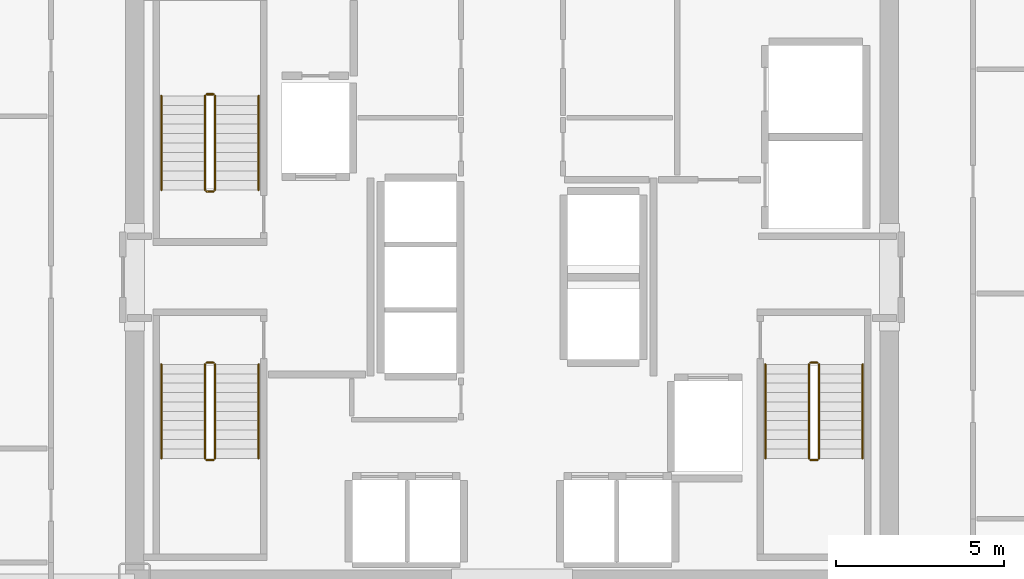
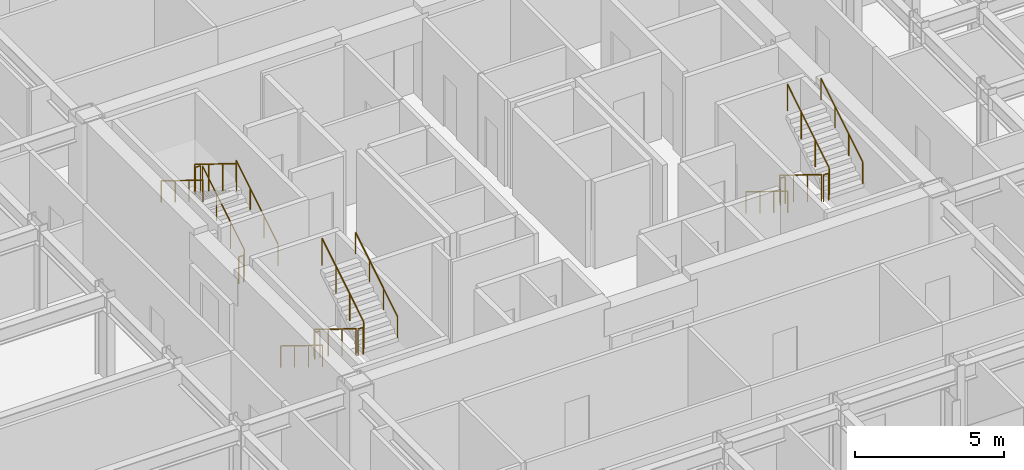
# One storey, part 23 of 23: 18 railings.
"""IFC4 building model written with IfcOpenShell, lengths in metres."""

from ifc_helpers import new_model, si_unit, direction, frame, origin, origin_2d, place, context, subcontext, project, spatial, circle, extrude, material, type_object, element, save


model = new_model("IFC4")

# Units and contexts
model_context = context("Model", 3, precision=1e-05, world=origin(), true_north=direction((0.0, 1.0)))
body_context = subcontext(model_context, "Body", "Model", "MODEL_VIEW")
ifc_project = project(units=[si_unit("LENGTHUNIT", "METRE"), si_unit("AREAUNIT", "SQUARE_METRE"), si_unit("VOLUMEUNIT", "CUBIC_METRE"), si_unit("PLANEANGLEUNIT", "RADIAN"), si_unit("MASSUNIT", "GRAM", prefix="KILO")], contexts=[model_context])

# Site, building, storey
site_placement = place(None, origin())
site = spatial("IfcSite", under=ifc_project, at=site_placement, CompositionType="ELEMENT")
building_placement = place(site_placement, origin())
building = spatial("IfcBuilding", under=site, at=building_placement, Name="Nefas-Gora Pilgrimage Tower", CompositionType="ELEMENT")
storey_placement = place(building_placement, frame((0.0, 0.0, 167.800048828125)))
storey = spatial("IfcBuildingStorey", under=building, at=storey_placement, Name="L41", CompositionType="ELEMENT", Elevation=167.800048828125)

# Railings
ifc_material_1 = material(Name="Painted galvanised steel", Category="steel")
railing_type_1 = type_object("IfcRailingType", Name="RLG-STR-GUARD-1100", PredefinedType="GUARDRAIL", material=ifc_material_1)
railing_1_placement = place(storey_placement, frame((-8.85009765625, 2.60009765625, 0.172607421875)))
element("IfcRailing", 1, at=railing_1_placement, inside=storey, type_object=railing_type_1, Name="L41 ST-01 stair guard 1", PredefinedType="GUARDRAIL", context=body_context, shape_type="SweptSolid", body=[
    extrude(circle(Radius=0.02392578125, at=origin_2d()), frame((0.0, 0.0, 1.09619140625), z_axis=(0.0, 0.851069175582, 0.525053576669), x_axis=(-1.0, 0.0, 0.0)), (0.0, 0.0, 1.0), 3.289794921875),
    extrude(circle(Radius=0.02099609375, at=origin_2d()), origin(), (0.0, 0.0, 1.0), 1.072021484375),
    extrude(circle(Radius=0.02099609375, at=origin_2d()), frame((0.0, 0.933349609375, 0.57568359375)), (0.0, 0.0, 1.0), 1.072021484375),
    extrude(circle(Radius=0.02099609375, at=origin_2d()), frame((0.0, 1.866455078125, 1.151611328125)), (0.0, 0.0, 1.0), 1.072021484375),
    extrude(circle(Radius=0.02099609375, at=origin_2d()), frame((0.0, 2.7998046875, 1.727294921875)), (0.0, 0.0, 1.0), 1.072021484375),
])
railing_2_placement = place(storey_placement, frame((-8.89990234375, 5.449951171875, 1.89990234375)))
element("IfcRailing", 2, at=railing_2_placement, inside=storey, type_object=railing_type_1, Name="L41 ST-01 stair guard 2", PredefinedType="GUARDRAIL", context=body_context, shape_type="SweptSolid", body=[
    extrude(circle(Radius=0.02392578125, at=origin_2d()), frame((0.0, 0.0, 1.09619140625), z_axis=(-1.0, 0.0, 0.0), x_axis=(0.0, -1.0, 0.0)), (0.0, 0.0, 1.0), 0.2001953125),
    extrude(circle(Radius=0.02099609375, at=origin_2d()), origin(), (0.0, 0.0, 1.0), 1.072021484375),
    extrude(circle(Radius=0.02099609375, at=origin_2d()), frame((-0.2001953125, 0.0, 0.0)), (0.0, 0.0, 1.0), 1.072021484375),
])
railing_3_placement = place(storey_placement, frame((-9.14990234375, 5.39990234375, 2.07275390625)))
element("IfcRailing", 3, at=railing_3_placement, inside=storey, type_object=railing_type_1, Name="L41 ST-01 stair guard 3", PredefinedType="GUARDRAIL", context=body_context, shape_type="SweptSolid", body=[
    extrude(circle(Radius=0.02392578125, at=origin_2d()), frame((0.0, 0.0, 1.09619140625), z_axis=(0.0, -0.851069175582, 0.525053576669), x_axis=(1.0, 0.0, 0.0)), (0.0, 0.0, 1.0), 3.289794921875),
    extrude(circle(Radius=0.02099609375, at=origin_2d()), origin(), (0.0, 0.0, 1.0), 1.072021484375),
    extrude(circle(Radius=0.02099609375, at=origin_2d()), frame((0.0, -0.933349609375, 0.57568359375)), (0.0, 0.0, 1.0), 1.072021484375),
    extrude(circle(Radius=0.02099609375, at=origin_2d()), frame((0.0, -1.866455078125, 1.151611328125)), (0.0, 0.0, 1.0), 1.072021484375),
    extrude(circle(Radius=0.02099609375, at=origin_2d()), frame((0.0, -2.7998046875, 1.727294921875)), (0.0, 0.0, 1.0), 1.072021484375),
])
railing_4_placement = place(storey_placement, frame((-8.89990234375, 2.550048828125, 0.0)))
element("IfcRailing", 4, at=railing_4_placement, inside=storey, type_object=railing_type_1, Name="L41 ST-01 stair guard 4", PredefinedType="GUARDRAIL", context=body_context, shape_type="SweptSolid", body=[
    extrude(circle(Radius=0.02392578125, at=origin_2d()), frame((0.0, 0.0, 1.09619140625), z_axis=(-1.0, 0.0, 0.0), x_axis=(0.0, -1.0, 0.0)), (0.0, 0.0, 1.0), 0.2001953125),
    extrude(circle(Radius=0.02099609375, at=origin_2d()), origin(), (0.0, 0.0, 1.0), 1.072021484375),
    extrude(circle(Radius=0.02099609375, at=origin_2d()), frame((-0.2001953125, 0.0, 0.0)), (0.0, 0.0, 1.0), 1.072021484375),
])
railing_5_placement = place(storey_placement, frame((8.85009765625, -2.60009765625, 0.172607421875)))
element("IfcRailing", 5, at=railing_5_placement, inside=storey, type_object=railing_type_1, Name="L41 ST-02 stair guard 1", PredefinedType="GUARDRAIL", context=body_context, shape_type="SweptSolid", body=[
    extrude(circle(Radius=0.02392578125, at=origin_2d()), frame((0.0, 0.0, 1.09619140625), z_axis=(0.0, -0.851069175582, 0.525053576669), x_axis=(1.0, 0.0, 0.0)), (0.0, 0.0, 1.0), 3.289794921875),
    extrude(circle(Radius=0.02099609375, at=origin_2d()), origin(), (0.0, 0.0, 1.0), 1.072021484375),
    extrude(circle(Radius=0.02099609375, at=origin_2d()), frame((0.0, -0.933349609375, 0.57568359375)), (0.0, 0.0, 1.0), 1.072021484375),
    extrude(circle(Radius=0.02099609375, at=origin_2d()), frame((0.0, -1.866455078125, 1.151611328125)), (0.0, 0.0, 1.0), 1.072021484375),
    extrude(circle(Radius=0.02099609375, at=origin_2d()), frame((0.0, -2.7998046875, 1.727294921875)), (0.0, 0.0, 1.0), 1.072021484375),
])
railing_6_placement = place(storey_placement, frame((8.89990234375, -5.449951171875, 1.89990234375)))
element("IfcRailing", 6, at=railing_6_placement, inside=storey, type_object=railing_type_1, Name="L41 ST-02 stair guard 2", PredefinedType="GUARDRAIL", context=body_context, shape_type="SweptSolid", body=[
    extrude(circle(Radius=0.02392578125, at=origin_2d()), frame((0.0, 0.0, 1.09619140625), z_axis=(1.0, 0.0, 0.0), x_axis=(0.0, 1.0, 0.0)), (0.0, 0.0, 1.0), 0.2001953125),
    extrude(circle(Radius=0.02099609375, at=origin_2d()), origin(), (0.0, 0.0, 1.0), 1.072021484375),
    extrude(circle(Radius=0.02099609375, at=origin_2d()), frame((0.2001953125, 0.0, 0.0)), (0.0, 0.0, 1.0), 1.072021484375),
])
railing_7_placement = place(storey_placement, frame((9.14990234375, -5.39990234375, 2.07275390625)))
element("IfcRailing", 7, at=railing_7_placement, inside=storey, type_object=railing_type_1, Name="L41 ST-02 stair guard 3", PredefinedType="GUARDRAIL", context=body_context, shape_type="SweptSolid", body=[
    extrude(circle(Radius=0.02392578125, at=origin_2d()), frame((0.0, 0.0, 1.09619140625), z_axis=(0.0, 0.851069175582, 0.525053576669), x_axis=(-1.0, 0.0, 0.0)), (0.0, 0.0, 1.0), 3.289794921875),
    extrude(circle(Radius=0.02099609375, at=origin_2d()), origin(), (0.0, 0.0, 1.0), 1.072021484375),
    extrude(circle(Radius=0.02099609375, at=origin_2d()), frame((0.0, 0.933349609375, 0.57568359375)), (0.0, 0.0, 1.0), 1.072021484375),
    extrude(circle(Radius=0.02099609375, at=origin_2d()), frame((0.0, 1.866455078125, 1.151611328125)), (0.0, 0.0, 1.0), 1.072021484375),
    extrude(circle(Radius=0.02099609375, at=origin_2d()), frame((0.0, 2.7998046875, 1.727294921875)), (0.0, 0.0, 1.0), 1.072021484375),
])
railing_8_placement = place(storey_placement, frame((8.89990234375, -2.550048828125, 0.0)))
element("IfcRailing", 8, at=railing_8_placement, inside=storey, type_object=railing_type_1, Name="L41 ST-02 stair guard 4", PredefinedType="GUARDRAIL", context=body_context, shape_type="SweptSolid", body=[
    extrude(circle(Radius=0.02392578125, at=origin_2d()), frame((0.0, 0.0, 1.09619140625), z_axis=(1.0, 0.0, 0.0), x_axis=(0.0, 1.0, 0.0)), (0.0, 0.0, 1.0), 0.2001953125),
    extrude(circle(Radius=0.02099609375, at=origin_2d()), origin(), (0.0, 0.0, 1.0), 1.072021484375),
    extrude(circle(Radius=0.02099609375, at=origin_2d()), frame((0.2001953125, 0.0, 0.0)), (0.0, 0.0, 1.0), 1.072021484375),
])
railing_9_placement = place(storey_placement, frame((-9.14990234375, -2.60009765625, 0.172607421875)))
element("IfcRailing", 9, at=railing_9_placement, inside=storey, type_object=railing_type_1, Name="L41 ST-03 stair guard 1", PredefinedType="GUARDRAIL", context=body_context, shape_type="SweptSolid", body=[
    extrude(circle(Radius=0.02392578125, at=origin_2d()), frame((0.0, 0.0, 1.09619140625), z_axis=(0.0, -0.851069175582, 0.525053576669), x_axis=(1.0, 0.0, 0.0)), (0.0, 0.0, 1.0), 3.289794921875),
    extrude(circle(Radius=0.02099609375, at=origin_2d()), origin(), (0.0, 0.0, 1.0), 1.072021484375),
    extrude(circle(Radius=0.02099609375, at=origin_2d()), frame((0.0, -0.933349609375, 0.57568359375)), (0.0, 0.0, 1.0), 1.072021484375),
    extrude(circle(Radius=0.02099609375, at=origin_2d()), frame((0.0, -1.866455078125, 1.151611328125)), (0.0, 0.0, 1.0), 1.072021484375),
    extrude(circle(Radius=0.02099609375, at=origin_2d()), frame((0.0, -2.7998046875, 1.727294921875)), (0.0, 0.0, 1.0), 1.072021484375),
])
railing_10_placement = place(storey_placement, frame((-9.10009765625, -5.449951171875, 1.89990234375)))
element("IfcRailing", 10, at=railing_10_placement, inside=storey, type_object=railing_type_1, Name="L41 ST-03 stair guard 2", PredefinedType="GUARDRAIL", context=body_context, shape_type="SweptSolid", body=[
    extrude(circle(Radius=0.02392578125, at=origin_2d()), frame((0.0, 0.0, 1.09619140625), z_axis=(1.0, 0.0, 0.0), x_axis=(0.0, 1.0, 0.0)), (0.0, 0.0, 1.0), 0.2001953125),
    extrude(circle(Radius=0.02099609375, at=origin_2d()), origin(), (0.0, 0.0, 1.0), 1.072021484375),
    extrude(circle(Radius=0.02099609375, at=origin_2d()), frame((0.2001953125, 0.0, 0.0)), (0.0, 0.0, 1.0), 1.072021484375),
])
railing_11_placement = place(storey_placement, frame((-8.85009765625, -5.39990234375, 2.07275390625)))
element("IfcRailing", 11, at=railing_11_placement, inside=storey, type_object=railing_type_1, Name="L41 ST-03 stair guard 3", PredefinedType="GUARDRAIL", context=body_context, shape_type="SweptSolid", body=[
    extrude(circle(Radius=0.02392578125, at=origin_2d()), frame((0.0, 0.0, 1.09619140625), z_axis=(0.0, 0.851069175582, 0.525053576669), x_axis=(-1.0, 0.0, 0.0)), (0.0, 0.0, 1.0), 3.289794921875),
    extrude(circle(Radius=0.02099609375, at=origin_2d()), origin(), (0.0, 0.0, 1.0), 1.072021484375),
    extrude(circle(Radius=0.02099609375, at=origin_2d()), frame((0.0, 0.933349609375, 0.57568359375)), (0.0, 0.0, 1.0), 1.072021484375),
    extrude(circle(Radius=0.02099609375, at=origin_2d()), frame((0.0, 1.866455078125, 1.151611328125)), (0.0, 0.0, 1.0), 1.072021484375),
    extrude(circle(Radius=0.02099609375, at=origin_2d()), frame((0.0, 2.7998046875, 1.727294921875)), (0.0, 0.0, 1.0), 1.072021484375),
])
railing_12_placement = place(storey_placement, frame((-9.10009765625, -2.550048828125, 0.0)))
element("IfcRailing", 12, at=railing_12_placement, inside=storey, type_object=railing_type_1, Name="L41 ST-03 stair guard 4", PredefinedType="GUARDRAIL", context=body_context, shape_type="SweptSolid", body=[
    extrude(circle(Radius=0.02392578125, at=origin_2d()), frame((0.0, 0.0, 1.09619140625), z_axis=(1.0, 0.0, 0.0), x_axis=(0.0, 1.0, 0.0)), (0.0, 0.0, 1.0), 0.2001953125),
    extrude(circle(Radius=0.02099609375, at=origin_2d()), origin(), (0.0, 0.0, 1.0), 1.072021484375),
    extrude(circle(Radius=0.02099609375, at=origin_2d()), frame((0.2001953125, 0.0, 0.0)), (0.0, 0.0, 1.0), 1.072021484375),
])
ifc_material_2 = material(Name="Brushed stainless steel", Category="steel")
railing_type_2 = type_object("IfcRailingType", Name="RLG-STR-HAND-900", PredefinedType="HANDRAIL", material=ifc_material_2)
railing_13_placement = place(storey_placement, frame((-7.550048828125, 2.60009765625, 0.172607421875)))
element("IfcRailing", 13, at=railing_13_placement, inside=storey, type_object=railing_type_2, Name="L41 ST-01 stair handrail 1", PredefinedType="HANDRAIL", context=body_context, shape_type="SweptSolid", body=[
    extrude(circle(Radius=0.02392578125, at=origin_2d()), frame((0.0, 0.0, 0.8759765625), z_axis=(0.0, 0.851069175582, 0.525053576669), x_axis=(-1.0, 0.0, 0.0)), (0.0, 0.0, 1.0), 3.289794921875),
    extrude(circle(Radius=0.02099609375, at=origin_2d()), origin(), (0.0, 0.0, 1.0), 0.851806640625),
    extrude(circle(Radius=0.02099609375, at=origin_2d()), frame((0.0, 0.933349609375, 0.57568359375)), (0.0, 0.0, 1.0), 0.851806640625),
    extrude(circle(Radius=0.02099609375, at=origin_2d()), frame((0.0, 1.866455078125, 1.151611328125)), (0.0, 0.0, 1.0), 0.851806640625),
    extrude(circle(Radius=0.02099609375, at=origin_2d()), frame((0.0, 2.7998046875, 1.727294921875)), (0.0, 0.0, 1.0), 0.851806640625),
])
for number, where, name in (
    (14, (-10.449951171875, 5.39990234375, 2.07275390625), "L41 ST-01 stair handrail 2"),
    (15, (7.550048828125, -2.60009765625, 0.172607421875), "L41 ST-02 stair handrail 1"),
):
    element("IfcRailing", number, at=place(storey_placement, frame(where)), inside=storey, type_object=railing_type_2, Name=name, PredefinedType="HANDRAIL", context=body_context, shape_type="SweptSolid", body=[
        extrude(circle(Radius=0.02392578125, at=origin_2d()), frame((0.0, 0.0, 0.8759765625), z_axis=(0.0, -0.851069175582, 0.525053576669), x_axis=(1.0, 0.0, 0.0)), (0.0, 0.0, 1.0), 3.289794921875),
        extrude(circle(Radius=0.02099609375, at=origin_2d()), origin(), (0.0, 0.0, 1.0), 0.851806640625),
        extrude(circle(Radius=0.02099609375, at=origin_2d()), frame((0.0, -0.933349609375, 0.57568359375)), (0.0, 0.0, 1.0), 0.851806640625),
        extrude(circle(Radius=0.02099609375, at=origin_2d()), frame((0.0, -1.866455078125, 1.151611328125)), (0.0, 0.0, 1.0), 0.851806640625),
        extrude(circle(Radius=0.02099609375, at=origin_2d()), frame((0.0, -2.7998046875, 1.727294921875)), (0.0, 0.0, 1.0), 0.851806640625),
    ])
railing_14_placement = place(storey_placement, frame((10.449951171875, -5.39990234375, 2.07275390625)))
element("IfcRailing", 16, at=railing_14_placement, inside=storey, type_object=railing_type_2, Name="L41 ST-02 stair handrail 2", PredefinedType="HANDRAIL", context=body_context, shape_type="SweptSolid", body=[
    extrude(circle(Radius=0.02392578125, at=origin_2d()), frame((0.0, 0.0, 0.8759765625), z_axis=(0.0, 0.851069175582, 0.525053576669), x_axis=(-1.0, 0.0, 0.0)), (0.0, 0.0, 1.0), 3.289794921875),
    extrude(circle(Radius=0.02099609375, at=origin_2d()), origin(), (0.0, 0.0, 1.0), 0.851806640625),
    extrude(circle(Radius=0.02099609375, at=origin_2d()), frame((0.0, 0.933349609375, 0.57568359375)), (0.0, 0.0, 1.0), 0.851806640625),
    extrude(circle(Radius=0.02099609375, at=origin_2d()), frame((0.0, 1.866455078125, 1.151611328125)), (0.0, 0.0, 1.0), 0.851806640625),
    extrude(circle(Radius=0.02099609375, at=origin_2d()), frame((0.0, 2.7998046875, 1.727294921875)), (0.0, 0.0, 1.0), 0.851806640625),
])
railing_15_placement = place(storey_placement, frame((-10.449951171875, -2.60009765625, 0.172607421875)))
element("IfcRailing", 17, at=railing_15_placement, inside=storey, type_object=railing_type_2, Name="L41 ST-03 stair handrail 1", PredefinedType="HANDRAIL", context=body_context, shape_type="SweptSolid", body=[
    extrude(circle(Radius=0.02392578125, at=origin_2d()), frame((0.0, 0.0, 0.8759765625), z_axis=(0.0, -0.851069175582, 0.525053576669), x_axis=(1.0, 0.0, 0.0)), (0.0, 0.0, 1.0), 3.289794921875),
    extrude(circle(Radius=0.02099609375, at=origin_2d()), origin(), (0.0, 0.0, 1.0), 0.851806640625),
    extrude(circle(Radius=0.02099609375, at=origin_2d()), frame((0.0, -0.933349609375, 0.57568359375)), (0.0, 0.0, 1.0), 0.851806640625),
    extrude(circle(Radius=0.02099609375, at=origin_2d()), frame((0.0, -1.866455078125, 1.151611328125)), (0.0, 0.0, 1.0), 0.851806640625),
    extrude(circle(Radius=0.02099609375, at=origin_2d()), frame((0.0, -2.7998046875, 1.727294921875)), (0.0, 0.0, 1.0), 0.851806640625),
])
railing_16_placement = place(storey_placement, frame((-7.550048828125, -5.39990234375, 2.07275390625)))
element("IfcRailing", 18, at=railing_16_placement, inside=storey, type_object=railing_type_2, Name="L41 ST-03 stair handrail 2", PredefinedType="HANDRAIL", context=body_context, shape_type="SweptSolid", body=[
    extrude(circle(Radius=0.02392578125, at=origin_2d()), frame((0.0, 0.0, 0.8759765625), z_axis=(0.0, 0.851069175582, 0.525053576669), x_axis=(-1.0, 0.0, 0.0)), (0.0, 0.0, 1.0), 3.289794921875),
    extrude(circle(Radius=0.02099609375, at=origin_2d()), origin(), (0.0, 0.0, 1.0), 0.851806640625),
    extrude(circle(Radius=0.02099609375, at=origin_2d()), frame((0.0, 0.933349609375, 0.57568359375)), (0.0, 0.0, 1.0), 0.851806640625),
    extrude(circle(Radius=0.02099609375, at=origin_2d()), frame((0.0, 1.866455078125, 1.151611328125)), (0.0, 0.0, 1.0), 0.851806640625),
    extrude(circle(Radius=0.02099609375, at=origin_2d()), frame((0.0, 2.7998046875, 1.727294921875)), (0.0, 0.0, 1.0), 0.851806640625),
])

save(model, "model.ifc")
